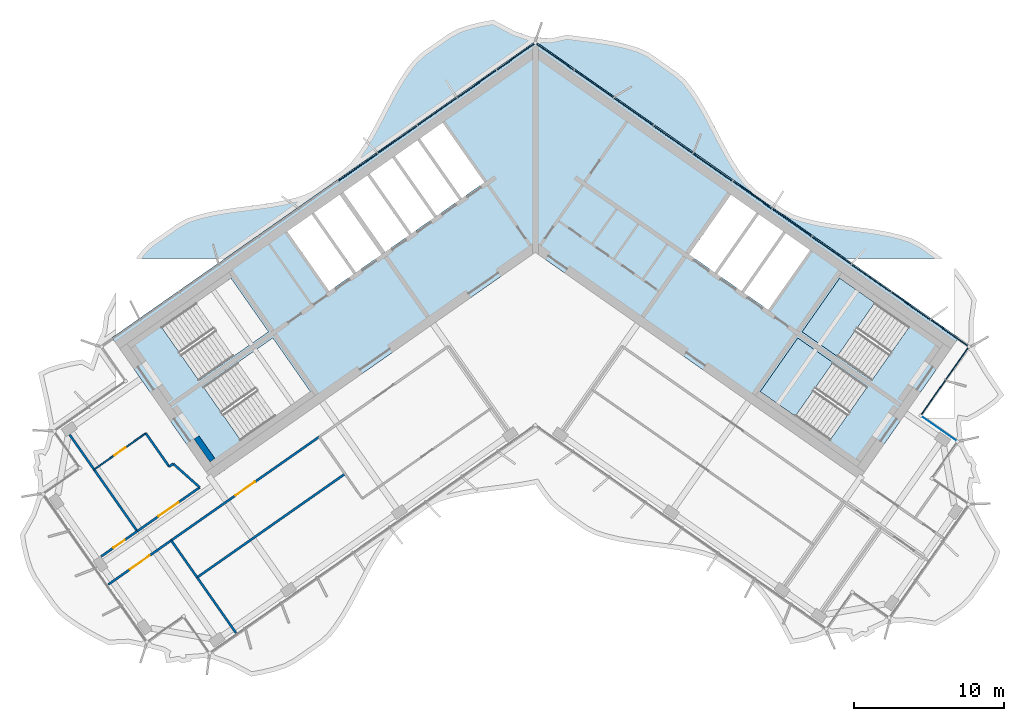
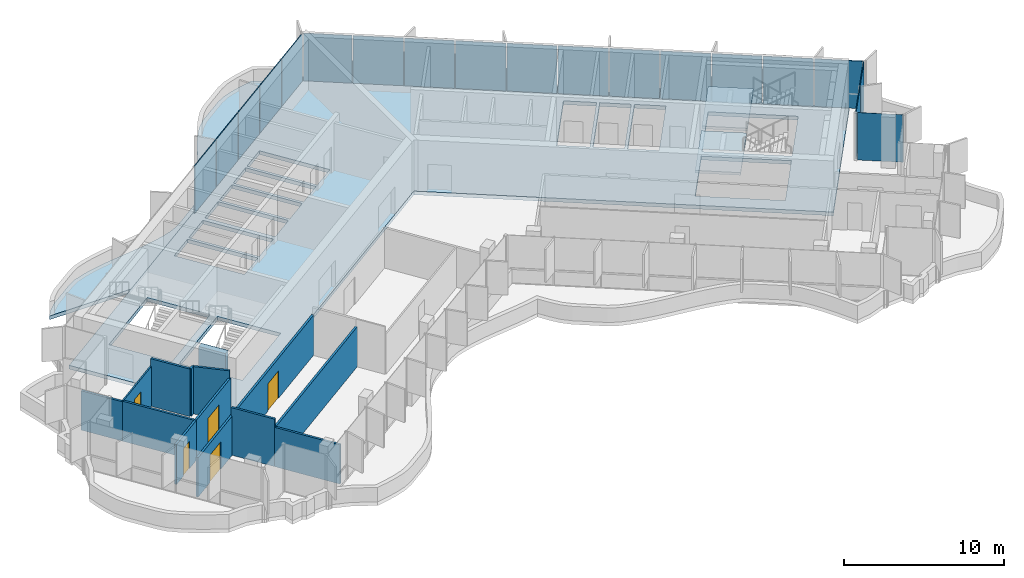
# One storey, part 8 of 17: 19 plates, 14 walls, 5 doors, 4 slabs, 5 openings, 4 elements without a shape of their own.
"""IFC4 building model written with IfcOpenShell, lengths in metres."""

from ifc_helpers import new_model, si_unit, direction, frame, frame_2d, origin, origin_2d, place, context, subcontext, project, spatial, polyline, rectangle, outline, extrude, material, layer, layer_set, type_object, element, fill, aggregate, save


model = new_model("IFC4")

# Units and contexts
model_context = context("Model", 3, precision=1e-05, world=origin(), true_north=direction((0.0, 1.0)))
body_context = subcontext(model_context, "Body", "Model", "MODEL_VIEW")
ifc_project = project(units=[si_unit("LENGTHUNIT", "METRE"), si_unit("AREAUNIT", "SQUARE_METRE"), si_unit("VOLUMEUNIT", "CUBIC_METRE"), si_unit("PLANEANGLEUNIT", "RADIAN"), si_unit("MASSUNIT", "GRAM", prefix="KILO")], contexts=[model_context])

# Site, building, storey
site_placement = place(None, origin())
site = spatial("IfcSite", under=ifc_project, at=site_placement, CompositionType="ELEMENT")
building_placement = place(site_placement, origin())
building = spatial("IfcBuilding", under=site, at=building_placement, Name="Tel Ilan Convention Tower", CompositionType="ELEMENT")
storey_placement = place(building_placement, frame((0.0, 0.0, 287.800048828125)))
storey = spatial("IfcBuildingStorey", under=building, at=storey_placement, Name="L68", CompositionType="ELEMENT", Elevation=287.800048828125)

# Curtain wall, plates
ifc_material_1 = material(Name="Aluminium, bronze anodised", Category="aluminium")
curtain_wall_type_1 = type_object("IfcCurtainWallType", Name="CW2 STICK CURTAIN WALL, SPANDREL PANELS", PredefinedType="NOTDEFINED", material=ifc_material_1)
curtain_wall_1_placement = place(storey_placement, origin())
curtain_wall_1 = element("IfcCurtainWall", 1, at=curtain_wall_1_placement, inside=storey, type_object=curtain_wall_type_1, Name="Curtain wall CW2-51.01", PredefinedType="NOTDEFINED")
ifc_material_2 = material(Name="Aluminium composite panel, bronze anodised", Category="aluminium")
ifc_layer_1 = layer(ifc_material_2, 0.06005859375)
ifc_layer_set_1 = layer_set([ifc_layer_1], Name="CW SPANDREL PANEL 60")
plate_type_1 = type_object("IfcPlateType", Name="CW SPANDREL PANEL 60", PredefinedType="CURTAIN_PANEL", material=ifc_layer_set_1)
plate_1_placement = place(storey_placement, frame((26.45947265625, -10.85400390625, 0.0), z_axis=(0.0, 0.0, 1.0), x_axis=(0.573576436351, 0.819152044289, 0.0)))
plate_1 = element("IfcPlate", 2, at=plate_1_placement, type_object=plate_type_1, Name="Spandrel panel", PredefinedType="CURTAIN_PANEL", context=body_context, shape_type="SweptSolid", body=[
    extrude(rectangle(XDim=2.76904296875, YDim=0.06005859375, at=origin_2d()), origin(), (0.0, 0.0, 1.0), 3.6201171875),
])
plate_2_placement = place(storey_placement, frame((28.042236328125, -8.593505859375, 0.0), z_axis=(0.0, 0.0, 1.0), x_axis=(0.573576436351, 0.819152044289, 0.0)))
plate_2 = element("IfcPlate", 3, at=plate_2_placement, type_object=plate_type_1, Name="Spandrel panel", PredefinedType="CURTAIN_PANEL", context=body_context, shape_type="SweptSolid", body=[
    extrude(rectangle(XDim=2.6298828125, YDim=0.06005859375, at=origin_2d()), origin(), (0.0, 0.0, 1.0), 3.6201171875),
])
plate_3_placement = place(storey_placement, frame((27.5400390625, -6.587646484375, 0.0), z_axis=(0.0, 0.0, 1.0), x_axis=(-0.819152044289, 0.573576436351, 0.0)))
plate_3 = element("IfcPlate", 4, at=plate_3_placement, type_object=plate_type_1, Name="Spandrel panel", PredefinedType="CURTAIN_PANEL", context=body_context, shape_type="SweptSolid", body=[
    extrude(rectangle(XDim=3.0439453125, YDim=0.06005859375, at=origin_2d()), origin(), (0.0, 0.0, 1.0), 3.6201171875),
])
plate_4_placement = place(storey_placement, frame((24.95263671875, -4.77587890625, 0.0), z_axis=(0.0, 0.0, 1.0), x_axis=(-0.819152044289, 0.573576436351, 0.0)))
plate_4 = element("IfcPlate", 5, at=plate_4_placement, type_object=plate_type_1, Name="Spandrel panel", PredefinedType="CURTAIN_PANEL", context=body_context, shape_type="SweptSolid", body=[
    extrude(rectangle(XDim=3.15380859375, YDim=0.06005859375, at=origin_2d()), origin(), (0.0, 0.0, 1.0), 3.6201171875),
])
plate_5_placement = place(storey_placement, frame((22.31982421875, -2.9326171875, 0.0), z_axis=(0.0, 0.0, 1.0), x_axis=(-0.819152044289, 0.573576436351, 0.0)))
plate_5 = element("IfcPlate", 6, at=plate_5_placement, type_object=plate_type_1, Name="Spandrel panel", PredefinedType="CURTAIN_PANEL", context=body_context, shape_type="SweptSolid", body=[
    extrude(rectangle(XDim=3.15380859375, YDim=0.06005859375, at=origin_2d()), origin(), (0.0, 0.0, 1.0), 3.6201171875),
])
plate_6_placement = place(storey_placement, frame((19.687255859375, -1.089111328125, 0.0), z_axis=(0.0, 0.0, 1.0), x_axis=(-0.819152044289, 0.573576436351, 0.0)))
plate_6 = element("IfcPlate", 7, at=plate_6_placement, type_object=plate_type_1, Name="Spandrel panel", PredefinedType="CURTAIN_PANEL", context=body_context, shape_type="SweptSolid", body=[
    extrude(rectangle(XDim=3.15380859375, YDim=0.06005859375, at=origin_2d()), origin(), (0.0, 0.0, 1.0), 3.6201171875),
])
plate_7_placement = place(storey_placement, frame((17.0546875, 0.754150390625, 0.0), z_axis=(0.0, 0.0, 1.0), x_axis=(-0.819152044289, 0.573576436351, 0.0)))
plate_7 = element("IfcPlate", 8, at=plate_7_placement, type_object=plate_type_1, Name="Spandrel panel", PredefinedType="CURTAIN_PANEL", context=body_context, shape_type="SweptSolid", body=[
    extrude(rectangle(XDim=3.15380859375, YDim=0.06005859375, at=origin_2d()), origin(), (0.0, 0.0, 1.0), 3.6201171875),
])
plate_8_placement = place(storey_placement, frame((14.422119140625, 2.59765625, 0.0), z_axis=(0.0, 0.0, 1.0), x_axis=(-0.819152044289, 0.573576436351, 0.0)))
plate_8 = element("IfcPlate", 9, at=plate_8_placement, type_object=plate_type_1, Name="Spandrel panel", PredefinedType="CURTAIN_PANEL", context=body_context, shape_type="SweptSolid", body=[
    extrude(rectangle(XDim=3.15380859375, YDim=0.06005859375, at=origin_2d()), origin(), (0.0, 0.0, 1.0), 3.6201171875),
])
plate_9_placement = place(storey_placement, frame((11.789306640625, 4.44091796875, 0.0), z_axis=(0.0, 0.0, 1.0), x_axis=(-0.819152044289, 0.573576436351, 0.0)))
plate_9 = element("IfcPlate", 10, at=plate_9_placement, type_object=plate_type_1, Name="Spandrel panel", PredefinedType="CURTAIN_PANEL", context=body_context, shape_type="SweptSolid", body=[
    extrude(rectangle(XDim=3.15380859375, YDim=0.06005859375, at=origin_2d()), origin(), (0.0, 0.0, 1.0), 3.6201171875),
])
plate_10_placement = place(storey_placement, frame((9.15673828125, 6.284423828125, 0.0), z_axis=(0.0, 0.0, 1.0), x_axis=(-0.819152044289, 0.573576436351, 0.0)))
plate_10 = element("IfcPlate", 11, at=plate_10_placement, type_object=plate_type_1, Name="Spandrel panel", PredefinedType="CURTAIN_PANEL", context=body_context, shape_type="SweptSolid", body=[
    extrude(rectangle(XDim=3.15380859375, YDim=0.06005859375, at=origin_2d()), origin(), (0.0, 0.0, 1.0), 3.6201171875),
])
plate_11_placement = place(storey_placement, frame((6.524169921875, 8.127685546875, 0.0), z_axis=(0.0, 0.0, 1.0), x_axis=(-0.819152044289, 0.573576436351, 0.0)))
plate_11 = element("IfcPlate", 12, at=plate_11_placement, type_object=plate_type_1, Name="Spandrel panel", PredefinedType="CURTAIN_PANEL", context=body_context, shape_type="SweptSolid", body=[
    extrude(rectangle(XDim=3.15380859375, YDim=0.06005859375, at=origin_2d()), origin(), (0.0, 0.0, 1.0), 3.6201171875),
])
plate_12_placement = place(storey_placement, frame((3.8916015625, 9.97119140625, 0.0), z_axis=(0.0, 0.0, 1.0), x_axis=(-0.819152044289, 0.573576436351, 0.0)))
plate_12 = element("IfcPlate", 13, at=plate_12_placement, type_object=plate_type_1, Name="Spandrel panel", PredefinedType="CURTAIN_PANEL", context=body_context, shape_type="SweptSolid", body=[
    extrude(rectangle(XDim=3.15380859375, YDim=0.06005859375, at=origin_2d()), origin(), (0.0, 0.0, 1.0), 3.6201171875),
])
plate_13_placement = place(storey_placement, frame((1.303955078125, 11.782958984375, 0.0), z_axis=(0.0, 0.0, 1.0), x_axis=(-0.819152044289, 0.573576436351, 0.0)))
plate_13 = element("IfcPlate", 14, at=plate_13_placement, type_object=plate_type_1, Name="Spandrel panel", PredefinedType="CURTAIN_PANEL", context=body_context, shape_type="SweptSolid", body=[
    extrude(rectangle(XDim=3.0439453125, YDim=0.06005859375, at=origin_2d()), origin(), (0.0, 0.0, 1.0), 3.6201171875),
])
plate_14_placement = place(storey_placement, frame((-1.303955078125, 11.782958984375, 0.0), z_axis=(0.0, 0.0, 1.0), x_axis=(-0.819152044289, -0.573576436351, 0.0)))
plate_14 = element("IfcPlate", 15, at=plate_14_placement, type_object=plate_type_1, Name="Spandrel panel", PredefinedType="CURTAIN_PANEL", context=body_context, shape_type="SweptSolid", body=[
    extrude(rectangle(XDim=3.0439453125, YDim=0.06005859375, at=origin_2d()), origin(), (0.0, 0.0, 1.0), 3.6201171875),
])
plate_15_placement = place(storey_placement, frame((-3.8916015625, 9.97119140625, 0.0), z_axis=(0.0, 0.0, 1.0), x_axis=(-0.819152044289, -0.573576436351, 0.0)))
plate_15 = element("IfcPlate", 16, at=plate_15_placement, type_object=plate_type_1, Name="Spandrel panel", PredefinedType="CURTAIN_PANEL", context=body_context, shape_type="SweptSolid", body=[
    extrude(rectangle(XDim=3.15380859375, YDim=0.06005859375, at=origin_2d()), origin(), (0.0, 0.0, 1.0), 3.6201171875),
])
plate_16_placement = place(storey_placement, frame((-6.524169921875, 8.127685546875, 0.0), z_axis=(0.0, 0.0, 1.0), x_axis=(-0.819152044289, -0.573576436351, 0.0)))
plate_16 = element("IfcPlate", 17, at=plate_16_placement, type_object=plate_type_1, Name="Spandrel panel", PredefinedType="CURTAIN_PANEL", context=body_context, shape_type="SweptSolid", body=[
    extrude(rectangle(XDim=3.15380859375, YDim=0.06005859375, at=origin_2d()), origin(), (0.0, 0.0, 1.0), 3.6201171875),
])
plate_17_placement = place(storey_placement, frame((-9.15673828125, 6.284423828125, 0.0), z_axis=(0.0, 0.0, 1.0), x_axis=(-0.819152044289, -0.573576436351, 0.0)))
plate_17 = element("IfcPlate", 18, at=plate_17_placement, type_object=plate_type_1, Name="Spandrel panel", PredefinedType="CURTAIN_PANEL", context=body_context, shape_type="SweptSolid", body=[
    extrude(rectangle(XDim=3.15380859375, YDim=0.06005859375, at=origin_2d()), origin(), (0.0, 0.0, 1.0), 3.6201171875),
])
plate_18_placement = place(storey_placement, frame((-11.789306640625, 4.44091796875, 0.0), z_axis=(0.0, 0.0, 1.0), x_axis=(-0.819152044289, -0.573576436351, 0.0)))
plate_18 = element("IfcPlate", 19, at=plate_18_placement, type_object=plate_type_1, Name="Spandrel panel", PredefinedType="CURTAIN_PANEL", context=body_context, shape_type="SweptSolid", body=[
    extrude(rectangle(XDim=3.15380859375, YDim=0.06005859375, at=origin_2d()), origin(), (0.0, 0.0, 1.0), 3.6201171875),
])
aggregate(curtain_wall_1, [plate_1, plate_2, plate_3, plate_4, plate_5, plate_6, plate_7, plate_8, plate_9, plate_10, plate_11, plate_12, plate_13, plate_14, plate_15, plate_16, plate_17, plate_18])

# Curtain wall, plate
ifc_material_3 = material(Name="Aluminium, bronze anodised", Category="aluminium")
curtain_wall_type_2 = type_object("IfcCurtainWallType", Name="CW5 STICK CURTAIN WALL, UPPER OFFICE LOW-IRON TINTED GLASS", PredefinedType="NOTDEFINED", material=ifc_material_3)
curtain_wall_2_placement = place(storey_placement, origin())
curtain_wall_2 = element("IfcCurtainWall", 20, at=curtain_wall_2_placement, inside=storey, type_object=curtain_wall_type_2, Name="Curtain wall CW5-51.02", PredefinedType="NOTDEFINED")
ifc_material_4 = material(Name="Glass, low-iron bronze tinted, two-ply", Category="glass")
ifc_layer_2 = layer(ifc_material_4, 0.031982421875)
ifc_layer_set_2 = layer_set([ifc_layer_2], Name="CW UPPER GLASS PANEL 32")
plate_type_2 = type_object("IfcPlateType", Name="CW UPPER GLASS PANEL 32", PredefinedType="CURTAIN_PANEL", material=ifc_layer_set_2)
plate_19_placement = place(storey_placement, frame((26.86767578125, -12.953369140625, 0.0), z_axis=(0.0, 0.0, 1.0), x_axis=(-0.819152044289, 0.573576436351, 0.0)))
plate_19 = element("IfcPlate", 21, at=plate_19_placement, type_object=plate_type_2, Name="Glass panel", PredefinedType="CURTAIN_PANEL", context=body_context, shape_type="SweptSolid", body=[
    extrude(rectangle(XDim=2.875, YDim=0.028076171875, at=origin_2d()), origin(), (0.0, 0.0, 1.0), 3.6201171875),
])
aggregate(curtain_wall_2, [plate_19])

# Stair, slab
ifc_material_5 = material(Name="Concrete C40/50", Category="concrete")
stair_type = type_object("IfcStairType", Name="Pressurised Exit Stair 22 risers 177 mm", PredefinedType="HALF_TURN_STAIR", material=ifc_material_5)
stair_1_placement = place(storey_placement, origin())
stair_1 = element("IfcStair", 22, at=stair_1_placement, inside=storey, type_object=stair_type, Name="L68 Pressurised Stair S3", PredefinedType="HALF_TURN_STAIR")
ifc_material_6 = material(Name="Concrete C40/50", Category="concrete")
ifc_layer_3 = layer(ifc_material_6, 0.199951171875)
ifc_layer_set_3 = layer_set([ifc_layer_3], Name="Concrete Stair Landing 200 mm C40/50")
slab_type_1 = type_object("IfcSlabType", Name="Concrete Stair Landing 200 mm", PredefinedType="LANDING", material=ifc_layer_set_3)
slab_1_placement = place(storey_placement, frame((0.0, 0.0, 1.75)))
slab_1 = element("IfcSlab", 23, at=slab_1_placement, type_object=slab_type_1, Name="S3 landing 1", PredefinedType="LANDING", context=body_context, shape_type="SweptSolid", body=[
    extrude(outline(polyline([(22.561767578125, -4.566650390625), (20.226318359375, -2.931640625), (17.7314453125, -6.494873046875), (20.066650390625, -8.130126953125), (22.561767578125, -4.566650390625)])), origin(), (0.0, 0.0, 1.0), 0.199951171875),
])
aggregate(stair_1, [slab_1])

stair_2_placement = place(storey_placement, origin())
stair_2 = element("IfcStair", 24, at=stair_2_placement, inside=storey, type_object=stair_type, Name="L68 Pressurised Stair S4", PredefinedType="HALF_TURN_STAIR")
slab_2_placement = place(storey_placement, frame((0.0, 0.0, 1.75)))
slab_2 = element("IfcSlab", 25, at=slab_2_placement, type_object=slab_type_1, Name="S4 landing 1", PredefinedType="LANDING", context=body_context, shape_type="SweptSolid", body=[
    extrude(outline(polyline([(19.77978515625, -8.53955078125), (17.444580078125, -6.904541015625), (14.949462890625, -10.4677734375), (17.28466796875, -12.10302734375), (19.77978515625, -8.53955078125)])), origin(), (0.0, 0.0, 1.0), 0.199951171875),
])
aggregate(stair_2, [slab_2])

# Slabs
ifc_material_7 = material(Name="Concrete C40/50", Category="concrete")
ifc_layer_4 = layer(ifc_material_7, 0.280029296875)
ifc_layer_set_4 = layer_set([ifc_layer_4], Name="Core Floor Slab 280 mm C40/50")
slab_type_2 = type_object("IfcSlabType", Name="Core Floor Slab 280 mm C40/50", PredefinedType="FLOOR", material=ifc_layer_set_4)
slab_3_placement = place(storey_placement, frame((0.0, 0.0, -0.280029296875)))
element("IfcSlab", 26, at=slab_3_placement, inside=storey, type_object=slab_type_2, Name="L68 core floor 1", PredefinedType="FLOOR", context=body_context, shape_type="SweptSolid", body=[
    extrude(outline(polyline([(0.0, 12.818115234375), (28.1396484375, -6.885498046875), (21.54345703125, -16.3056640625), (0.0, -1.220703125), (-21.54345703125, -16.3056640625), (-28.1396484375, -6.885498046875), (-13.013916015625, 3.705810546875), (-6.48876953125, 8.274658203125), (-4.6650390625, 9.5517578125), (-0.2412109375, 12.6494140625), (0.0, 12.818115234375)]), holes=[polyline([(-17.444580078125, -6.904541015625), (-22.072021484375, -10.144775390625), (-19.5771484375, -13.7080078125), (-14.949462890625, -10.4677734375), (-17.444580078125, -6.904541015625)]), polyline([(-17.7314453125, -6.494873046875), (-20.226318359375, -2.931640625), (-24.85400390625, -6.171875), (-22.35888671875, -9.735107421875), (-17.7314453125, -6.494873046875)]), polyline([(-14.864990234375, 1.310791015625), (-16.48291015625, 0.177978515625), (-13.701171875, -3.794921875), (-12.083251953125, -2.662109375), (-14.864990234375, 1.310791015625)]), polyline([(-14.701416015625, 1.425537109375), (-11.91943359375, -2.54736328125), (-10.2197265625, -1.357421875), (-13.001708984375, 2.615478515625), (-14.701416015625, 1.425537109375)]), polyline([(-11.168701171875, 3.89892578125), (-12.755859375, 2.78759765625), (-9.97412109375, -1.185302734375), (-8.386962890625, -0.073974609375), (-11.168701171875, 3.89892578125)]), polyline([(-9.499755859375, 5.067626953125), (-11.0048828125, 4.013671875), (-8.222900390625, 0.040771484375), (-6.718017578125, 1.0947265625), (-9.499755859375, 5.067626953125)]), polyline([(-9.3359375, 5.182373046875), (-6.553955078125, 1.20947265625), (-5.048828125, 2.263427734375), (-7.830810546875, 6.236328125), (-9.3359375, 5.182373046875)]), polyline([(17.444580078125, -6.904541015625), (14.949462890625, -10.4677734375), (19.5771484375, -13.7080078125), (22.072021484375, -10.144775390625), (17.444580078125, -6.904541015625)]), polyline([(20.226318359375, -2.931640625), (17.7314453125, -6.494873046875), (22.35888671875, -9.735107421875), (24.85400390625, -6.171875), (20.226318359375, -2.931640625)]), polyline([(15.48291015625, -5.04248046875), (18.2646484375, -1.069580078125), (16.646728515625, 0.063232421875), (13.864990234375, -3.90966796875), (15.48291015625, -5.04248046875)]), polyline([(13.701171875, -3.794921875), (16.48291015625, 0.177978515625), (14.864990234375, 1.310791015625), (12.083251953125, -2.662109375), (13.701171875, -3.794921875)]), polyline([(11.91943359375, -2.54736328125), (14.701416015625, 1.425537109375), (13.001708984375, 2.615478515625), (10.2197265625, -1.357421875), (11.91943359375, -2.54736328125)]), polyline([(-6.16162109375, 7.405029296875), (-7.666748046875, 6.35107421875), (-4.885009765625, 2.378173828125), (-3.3798828125, 3.43212890625), (-6.16162109375, 7.405029296875)])]), origin(), (0.0, 0.0, 1.0), 0.280029296875),
])
ifc_material_8 = material(Name="Concrete C40/50", Category="concrete")
ifc_layer_5 = layer(ifc_material_8, 0.280029296875)
ifc_layer_set_5 = layer_set([ifc_layer_5], Name="Edge Ledge Slab 280 mm C40/50")
slab_type_3 = type_object("IfcSlabType", Name="Edge Ledge Slab 280 mm C40/50", PredefinedType="FLOOR", material=ifc_layer_set_5)
slab_4_placement = place(storey_placement, frame((0.0, 0.0, -0.280029296875)))
element("IfcSlab", 27, at=slab_4_placement, inside=storey, type_object=slab_type_3, Name="L68 edge ledge 2", PredefinedType="FLOOR", context=body_context, shape_type="SweptSolid", body=[
    extrude(outline(polyline([(-23.1982421875, 1.006591796875), (-22.4697265625, 1.250244140625), (-21.705322265625, 1.44287109375), (-20.91259765625, 1.594482421875), (-20.099365234375, 1.71728515625), (-19.275146484375, 1.824462890625), (-18.44970703125, 1.9296875), (-17.6328125, 2.047119140625), (-16.833984375, 2.18994140625), (-16.0615234375, 2.37109375), (-15.3232421875, 2.6005859375), (-14.651611328125, 2.92529296875), (-12.841552734375, 4.192626953125), (-12.284912109375, 4.681640625), (-11.809326171875, 5.28662109375), (-11.369140625, 5.94189453125), (-10.956787109375, 6.63720703125), (-10.564453125, 7.36083984375), (-10.182373046875, 8.09912109375), (-9.80078125, 8.83837890625), (-9.410400390625, 9.564697265625), (-9.001220703125, 10.264404296875), (-8.56494140625, 10.925537109375), (-8.094482421875, 11.53759765625), (-7.552001953125, 12.047119140625), (-5.7421875, 13.314208984375), (-5.0849609375, 13.66015625), (-4.3515625, 13.896484375), (-3.5830078125, 14.083251953125), (-2.785888671875, 14.228515625), (-1.357666015625, 13.472900390625), (-0.172119140625, 13.06396484375), (-0.168701171875, 13.05908203125), (-0.11474609375, 13.09521484375), (0.0, 13.1181640625), (0.11474609375, 13.09521484375), (0.168701171875, 13.05908203125), (0.172119140625, 13.06396484375), (1.02001953125, 12.99072265625), (2.08935546875, 13.234130859375), (2.913818359375, 13.12744140625), (3.739501953125, 13.0224609375), (4.55712890625, 12.90625), (5.357666015625, 12.765380859375), (6.132080078125, 12.587158203125), (6.872802734375, 12.361083984375), (7.552001953125, 12.047119140625), (9.36181640625, 10.77978515625), (9.925537109375, 10.300537109375), (10.403564453125, 9.69921875), (10.845947265625, 9.046875), (11.259521484375, 8.353515625), (11.653076171875, 7.631591796875), (12.035400390625, 6.893798828125), (12.416748046875, 6.154052734375), (12.806396484375, 5.426513671875), (13.214111328125, 4.724609375), (13.648193359375, 4.060791015625), (14.116455078125, 3.4453125), (14.651611328125, 2.92529296875), (16.46142578125, 1.657958984375), (17.111328125, 1.30224609375), (17.84228515625, 1.062255859375), (18.60888671875, 0.87255859375), (19.4033203125, 0.72314453125), (20.21728515625, 0.601806640625), (21.0419921875, 0.495361328125), (21.8671875, 0.3896484375), (22.68310546875, 0.27099609375), (23.480712890625, 0.1259765625), (24.2509765625, -0.057861328125), (24.987060546875, -0.290771484375), (25.6513671875, -0.626220703125), (27.087158203125, -1.631591796875), (20.63623046875, -1.631591796875), (0.0, 12.818115234375), (-20.63623046875, -1.631591796875), (-26.535888671875, -1.631591796875), (-26.1787109375, -1.156982421875), (-25.6513671875, -0.626220703125), (-23.84130859375, 0.64111328125), (-23.1982421875, 1.006591796875)])), origin(), (0.0, 0.0, 1.0), 0.280029296875),
])

# Wall, opening, door
ifc_material_9 = material(Name="Plasterboard on Steel Studs", Category="steel")
ifc_layer_6 = layer(ifc_material_9, 0.14990234375)
ifc_layer_set_6 = layer_set([ifc_layer_6], Name="Fire-rated Partition 150 EI 60")
wall_type_1 = type_object("IfcWallType", Name="Fire-rated Partition 150 EI 60", PredefinedType="PARTITIONING", material=ifc_layer_set_6)
wall_1_placement = place(storey_placement, frame((-26.45947265625, -19.748779296875, 0.0), z_axis=(0.0, 0.0, 1.0), x_axis=(0.819141574295, 0.573591388761, 0.0)))
wall_1 = element("IfcWall", 28, at=wall_1_placement, inside=storey, type_object=wall_type_1, Name="Partition 006", PredefinedType="PARTITIONING", context=body_context, shape_type="SweptSolid", body=[
    extrude(rectangle(XDim=5.07861328125, YDim=0.14990234375, at=frame_2d((2.539306640625, 0.0))), origin(), (0.0, 0.0, 1.0), 3.050048828125),
])
opening_1_placement = place(wall_1_placement, frame((1.739501953125, 0.0, 0.0)))
opening_1 = element("IfcOpeningElement", 29, at=opening_1_placement, cuts=wall_1, Name="Opening L68-005", PredefinedType="OPENING", context=body_context, shape_type="SweptSolid", body=[
    extrude(rectangle(XDim=1.60009765625, YDim=2.10009765625, at=frame_2d((0.800048828125, 1.050048828125))), frame((0.0, 0.0849609375, 0.0), z_axis=(0.0, -1.0, 0.0), x_axis=(1.0, 0.0, 0.0)), (0.0, 0.0, 1.0), 0.169921875),
])
ifc_material_10 = material(Name="Timber Door Leaf in Steel Frame", Category="steel")
door_type_1 = type_object("IfcDoorType", Name="Tenant Suite Entrance Fire Door 1600x2100", OperationType="NOTDEFINED", PredefinedType="DOOR", material=ifc_material_10)
door_1_placement = place(opening_1_placement, origin())
door_1 = element("IfcDoor", 30, at=door_1_placement, inside=storey, type_object=door_type_1, Name="Door L68-005", OperationType="DOUBLE_DOOR_SINGLE_SWING", OverallHeight=2.10009765625, OverallWidth=1.60009765625, PredefinedType="DOOR", context=body_context, shape_type="SweptSolid", body=[
    extrude(rectangle(XDim=1.60009765625, YDim=2.10009765625, at=frame_2d((0.800048828125, 1.050048828125))), frame((0.0, 0.02490234375, 0.0), z_axis=(0.0, -1.0, 0.0), x_axis=(1.0, 0.0, 0.0)), (0.0, 0.0, 1.0), 0.050048828125),
])
fill(opening_1, door_1)

wall_2_placement = place(storey_placement, frame((-28.858154296875, -21.428466796875, 0.0), z_axis=(0.0, 0.0, 1.0), x_axis=(0.819149757547, 0.573579702143, 0.0)))
wall_2 = element("IfcWall", 31, at=wall_2_placement, inside=storey, type_object=wall_type_1, Name="Partition 007", PredefinedType="PARTITIONING", context=body_context, shape_type="SweptSolid", body=[
    extrude(rectangle(XDim=2.931884765625, YDim=0.14990234375, at=frame_2d((1.4658203125, 0.0))), origin(), (0.0, 0.0, 1.0), 3.050048828125),
])
opening_2_placement = place(wall_2_placement, frame((1.015869140625, 0.0, 0.0)))
opening_2 = element("IfcOpeningElement", 32, at=opening_2_placement, cuts=wall_2, Name="Opening L68-007", PredefinedType="OPENING", context=body_context, shape_type="SweptSolid", body=[
    extrude(rectangle(XDim=0.89990234375, YDim=2.10009765625, at=frame_2d((0.449951171875, 1.050048828125))), frame((0.0, 0.0849609375, 0.0), z_axis=(0.0, -1.0, 0.0), x_axis=(1.0, 0.0, 0.0)), (0.0, 0.0, 1.0), 0.169921875),
])
ifc_material_11 = material(Name="Timber Door Leaf in Steel Frame", Category="steel")
door_type_2 = type_object("IfcDoorType", Name="Room Fire Door 900x2100", OperationType="NOTDEFINED", PredefinedType="DOOR", material=ifc_material_11)
door_2_placement = place(opening_2_placement, origin())
door_2 = element("IfcDoor", 33, at=door_2_placement, inside=storey, type_object=door_type_2, Name="Door L68-007", OperationType="SINGLE_SWING_RIGHT", OverallHeight=2.10009765625, OverallWidth=0.89990234375, PredefinedType="DOOR", context=body_context, shape_type="SweptSolid", body=[
    extrude(rectangle(XDim=0.89990234375, YDim=2.10009765625, at=frame_2d((0.449951171875, 1.050048828125))), frame((0.0, 0.02490234375, 0.0), z_axis=(0.0, -1.0, 0.0), x_axis=(1.0, 0.0, 0.0)), (0.0, 0.0, 1.0), 0.050048828125),
])
fill(opening_2, door_2)

wall_3_placement = place(storey_placement, frame((-14.36572265625, -13.477294921875, 0.0), z_axis=(0.0, 0.0, 1.0), x_axis=(-0.819164075089, -0.573559254204, 0.0)))
wall_3 = element("IfcWall", 34, at=wall_3_placement, inside=storey, type_object=wall_type_1, Name="Partition 009", PredefinedType="PARTITIONING", context=body_context, shape_type="SweptSolid", body=[
    extrude(rectangle(XDim=12.00390625, YDim=0.14990234375, at=frame_2d((6.001953125, 0.0))), origin(), (0.0, 0.0, 1.0), 3.050048828125),
])
opening_3_placement = place(wall_3_placement, frame((5.201904296875, 0.0, 0.0)))
opening_3 = element("IfcOpeningElement", 35, at=opening_3_placement, cuts=wall_3, Name="Opening L68-003", PredefinedType="OPENING", context=body_context, shape_type="SweptSolid", body=[
    extrude(rectangle(XDim=1.60009765625, YDim=2.10009765625, at=frame_2d((0.800048828125, 1.050048828125))), frame((0.0, 0.0849609375, 0.0), z_axis=(0.0, -1.0, 0.0), x_axis=(1.0, 0.0, 0.0)), (0.0, 0.0, 1.0), 0.169921875),
])
door_3_placement = place(opening_3_placement, origin())
door_3 = element("IfcDoor", 36, at=door_3_placement, inside=storey, type_object=door_type_1, Name="Door L68-003", OperationType="DOUBLE_DOOR_SINGLE_SWING", OverallHeight=2.10009765625, OverallWidth=1.60009765625, PredefinedType="DOOR", context=body_context, shape_type="SweptSolid", body=[
    extrude(rectangle(XDim=1.60009765625, YDim=2.10009765625, at=frame_2d((0.800048828125, 1.050048828125))), frame((0.0, 0.02490234375, 0.0), z_axis=(0.0, -1.0, 0.0), x_axis=(1.0, 0.0, 0.0)), (0.0, 0.0, 1.0), 0.050048828125),
])
fill(opening_3, door_3)

wall_4_placement = place(storey_placement, frame((-24.19580078125, -20.360107421875, 0.0), z_axis=(0.0, 0.0, 1.0), x_axis=(-0.819132992492, -0.573603644176, 0.0)))
wall_4 = element("IfcWall", 37, at=wall_4_placement, inside=storey, type_object=wall_type_1, Name="Partition 010", PredefinedType="PARTITIONING", context=body_context, shape_type="SweptSolid", body=[
    extrude(rectangle(XDim=5.10205078125, YDim=0.14990234375, at=frame_2d((2.551025390625, 0.0))), origin(), (0.0, 0.0, 1.0), 3.0),
])
opening_4_placement = place(wall_4_placement, frame((1.7509765625, 0.0, 0.0)))
opening_4 = element("IfcOpeningElement", 38, at=opening_4_placement, cuts=wall_4, Name="Opening L68-004", PredefinedType="OPENING", context=body_context, shape_type="SweptSolid", body=[
    extrude(rectangle(XDim=1.60009765625, YDim=2.10009765625, at=frame_2d((0.800048828125, 1.050048828125))), frame((0.0, 0.0849609375, 0.0), z_axis=(0.0, -1.0, 0.0), x_axis=(1.0, 0.0, 0.0)), (0.0, 0.0, 1.0), 0.169921875),
])
door_4_placement = place(opening_4_placement, origin())
door_4 = element("IfcDoor", 39, at=door_4_placement, inside=storey, type_object=door_type_1, Name="Door L68-004", OperationType="DOUBLE_DOOR_SINGLE_SWING", OverallHeight=2.10009765625, OverallWidth=1.60009765625, PredefinedType="DOOR", context=body_context, shape_type="SweptSolid", body=[
    extrude(rectangle(XDim=1.60009765625, YDim=2.10009765625, at=frame_2d((0.800048828125, 1.050048828125))), frame((0.0, 0.02490234375, 0.0), z_axis=(0.0, -1.0, 0.0), x_axis=(1.0, 0.0, 0.0)), (0.0, 0.0, 1.0), 0.050048828125),
])
fill(opening_4, door_4)

# Walls
wall_5_placement = place(storey_placement, frame((-24.337158203125, -15.4541015625, 0.0), z_axis=(0.0, 0.0, 1.0), x_axis=(-0.573571492575, 0.819155505936, 0.0)))
element("IfcWall", 40, at=wall_5_placement, inside=storey, type_object=wall_type_1, Name="Partition 020", PredefinedType="PARTITIONING", context=body_context, shape_type="SweptSolid", body=[
    extrude(rectangle(XDim=2.701904296875, YDim=0.14990234375, at=frame_2d((1.35107421875, 0.0))), origin(), (0.0, 0.0, 1.0), 3.619873046875),
])
wall_6_placement = place(storey_placement, frame((-22.2998046875, -16.83740234375, 0.0), z_axis=(0.0, 0.0, 1.0), x_axis=(-0.746942190663, 0.664888986078, 0.0)))
element("IfcWall", 41, at=wall_6_placement, inside=storey, type_object=wall_type_1, Name="Partition 021", PredefinedType="PARTITIONING", context=body_context, shape_type="SweptSolid", body=[
    extrude(rectangle(XDim=2.365478515625, YDim=0.14990234375, at=frame_2d((1.1826171875, 0.0))), origin(), (0.0, 0.0, 1.0), 3.619873046875),
])
wall_7_placement = place(storey_placement, frame((-24.066650390625, -15.2646484375, 0.0), z_axis=(0.0, 0.0, 1.0), x_axis=(-0.819092976344, -0.573660784876, 0.0)))
element("IfcWall", 42, at=wall_7_placement, inside=storey, type_object=wall_type_1, Name="Partition 022", PredefinedType="PARTITIONING", context=body_context, shape_type="SweptSolid", body=[
    extrude(rectangle(XDim=0.330322265625, YDim=0.14990234375, at=frame_2d((0.1650390625, 0.0))), origin(), (0.0, 0.0, 1.0), 3.619873046875),
])
wall_8_placement = place(storey_placement, frame((-29.326904296875, -15.650634765625, 0.0), z_axis=(0.0, 0.0, 1.0), x_axis=(-0.573555012677, 0.819167044889, 0.0)))
element("IfcWall", 43, at=wall_8_placement, inside=storey, type_object=wall_type_1, Name="Partition 024", PredefinedType="PARTITIONING", context=body_context, shape_type="SweptSolid", body=[
    extrude(rectangle(XDim=2.828857421875, YDim=0.14990234375, at=frame_2d((1.41455078125, 0.0))), origin(), (0.0, 0.0, 1.0), 3.0),
])
wall_9_placement = place(storey_placement, frame((-26.45849609375, -19.747314453125, 0.0), z_axis=(0.0, 0.0, 1.0), x_axis=(-0.573563925118, 0.819160804606, 0.0)))
element("IfcWall", 44, at=wall_9_placement, inside=storey, type_object=wall_type_1, Name="Partition 025", PredefinedType="PARTITIONING", context=body_context, shape_type="SweptSolid", body=[
    extrude(rectangle(XDim=5.000244140625, YDim=0.14990234375, at=frame_2d((2.5, 0.0))), origin(), (0.0, 0.0, 1.0), 3.050048828125),
])
wall_10_placement = place(storey_placement, frame((-22.47607421875, -22.819580078125, 0.0), z_axis=(0.0, 0.0, 1.0), x_axis=(0.819153538506, 0.573574302382, 0.0)))
element("IfcWall", 45, at=wall_10_placement, inside=storey, type_object=wall_type_1, Name="Partition 028", PredefinedType="PARTITIONING", context=body_context, shape_type="SweptSolid", body=[
    extrude(rectangle(XDim=12.000244140625, YDim=0.14990234375, at=frame_2d((6.0, 0.0))), origin(), (0.0, 0.0, 1.0), 3.050048828125),
])
wall_11_placement = place(storey_placement, frame((-19.8955078125, -26.5048828125, 0.0), z_axis=(0.0, 0.0, 1.0), x_axis=(-0.573589807488, 0.819142681555, 0.0)))
element("IfcWall", 46, at=wall_11_placement, inside=storey, type_object=wall_type_1, Name="Partition 029", PredefinedType="PARTITIONING", context=body_context, shape_type="SweptSolid", body=[
    extrude(rectangle(XDim=4.4990234375, YDim=0.14990234375, at=frame_2d((2.24951171875, 0.0))), origin(), (0.0, 0.0, 1.0), 3.0),
])
wall_12_placement = place(storey_placement, frame((-22.4765625, -22.818603515625, 0.0), z_axis=(0.0, 0.0, 1.0), x_axis=(-0.573598887793, 0.819136323161, 0.0)))
element("IfcWall", 47, at=wall_12_placement, inside=storey, type_object=wall_type_1, Name="Partition 031", PredefinedType="PARTITIONING", context=body_context, shape_type="SweptSolid", body=[
    extrude(rectangle(XDim=2.999755859375, YDim=0.14990234375, at=frame_2d((1.5, 0.0))), origin(), (0.0, 0.0, 1.0), 3.619873046875),
])

# Wall, opening, door
ifc_material_12 = material(Name="Plasterboard on Steel Studs", Category="steel")
ifc_layer_7 = layer(ifc_material_12, 0.10009765625)
ifc_layer_set_7 = layer_set([ifc_layer_7], Name="Plasterboard Partition 100")
wall_type_2 = type_object("IfcWallType", Name="Plasterboard Partition 100", PredefinedType="PARTITIONING", material=ifc_layer_set_7)
wall_13_placement = place(storey_placement, frame((-29.326904296875, -15.650634765625, 0.0), z_axis=(0.0, 0.0, 1.0), x_axis=(0.819139100631, 0.573594921367, 0.0)))
wall_13 = element("IfcWall", 48, at=wall_13_placement, inside=storey, type_object=wall_type_2, Name="Partition 023", PredefinedType="PARTITIONING", context=body_context, shape_type="SweptSolid", body=[
    extrude(rectangle(XDim=4.201904296875, YDim=0.10009765625, at=frame_2d((2.10107421875, 0.0))), origin(), (0.0, 0.0, 1.0), 3.050048828125),
])
opening_5_placement = place(wall_13_placement, frame((1.65087890625, 0.0, 0.0)))
opening_5 = element("IfcOpeningElement", 49, at=opening_5_placement, cuts=wall_13, Name="Opening L68-006", PredefinedType="OPENING", context=body_context, shape_type="SweptSolid", body=[
    extrude(rectangle(XDim=0.89990234375, YDim=2.10009765625, at=frame_2d((0.449951171875, 1.050048828125))), frame((0.0, 0.06005859375, 0.0), z_axis=(0.0, -1.0, 0.0), x_axis=(1.0, 0.0, 0.0)), (0.0, 0.0, 1.0), 0.1201171875),
])
ifc_material_13 = material(Name="Timber Door Leaf in Steel Frame", Category="steel")
door_type_3 = type_object("IfcDoorType", Name="Room Timber Door 900x2100", OperationType="NOTDEFINED", PredefinedType="DOOR", material=ifc_material_13)
door_5_placement = place(opening_5_placement, origin())
door_5 = element("IfcDoor", 50, at=door_5_placement, inside=storey, type_object=door_type_3, Name="Door L68-006", OperationType="SINGLE_SWING_LEFT", OverallHeight=2.10009765625, OverallWidth=0.89990234375, PredefinedType="DOOR", context=body_context, shape_type="SweptSolid", body=[
    extrude(rectangle(XDim=0.89990234375, YDim=2.10009765625, at=frame_2d((0.449951171875, 1.050048828125))), frame((0.0, 0.02490234375, 0.0), z_axis=(0.0, -1.0, 0.0), x_axis=(1.0, 0.0, 0.0)), (0.0, 0.0, 1.0), 0.050048828125),
])
fill(opening_5, door_5)

# Wall
ifc_material_14 = material(Name="Concrete C30/37", Category="concrete")
ifc_layer_8 = layer(ifc_material_14, 0.39990234375)
ifc_layer_set_8 = layer_set([ifc_layer_8], Name="Stair and Shaft Lining Wall 400 mm C30/37")
wall_type_3 = type_object("IfcWallType", Name="Stair and Shaft Lining Wall 400 mm C30/37", PredefinedType="SOLIDWALL", material=ifc_layer_set_8)
wall_14_placement = place(storey_placement, frame((-21.4619140625, -15.027587890625, 0.0), z_axis=(0.0, 0.0, 1.0), x_axis=(-0.573559770908, 0.819163713305, 0.0)))
element("IfcWall", 51, at=wall_14_placement, inside=storey, type_object=wall_type_3, Name="L68 core wall lining-S2-u1-0", PredefinedType="SOLIDWALL", context=body_context, shape_type="SweptSolid", body=[
    extrude(rectangle(XDim=1.849853515625, YDim=0.39990234375, at=frame_2d((0.9248046875, 0.0))), origin(), (0.0, 0.0, 1.0), 3.619873046875),
])

save(model, "model.ifc")
